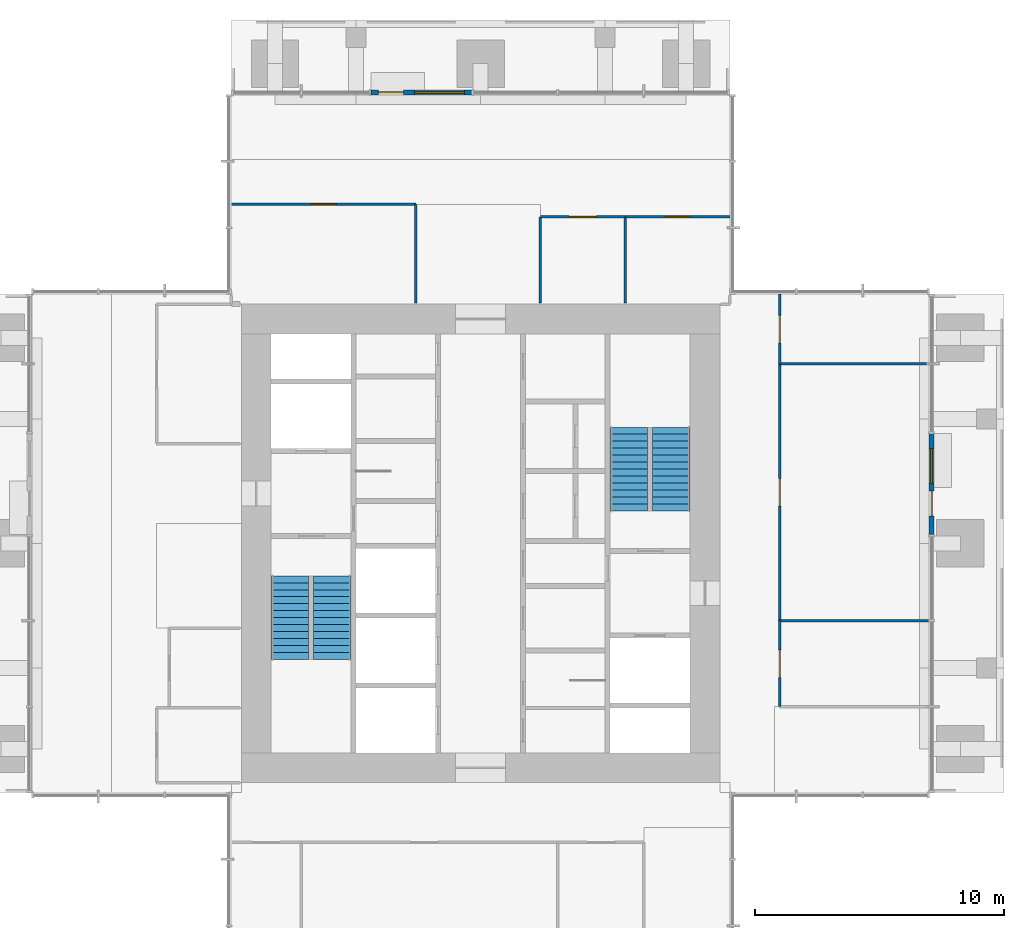
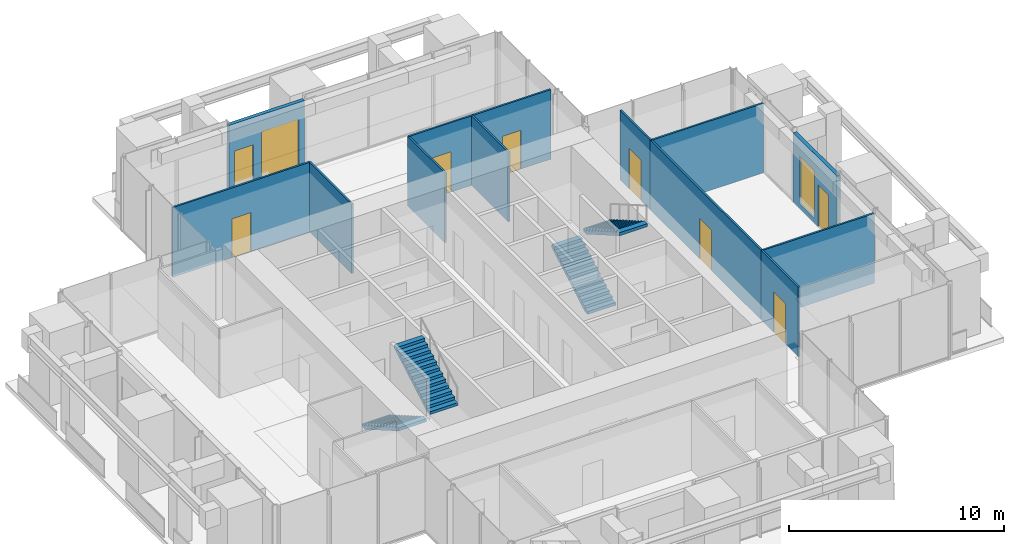
# One storey, part 9 of 12: 13 walls, 8 doors, 4 stair flights, 2 windows, 10 openings, 2 elements without a shape of their own.
"""IFC4 building model written with IfcOpenShell, lengths in metres."""

from ifc_helpers import new_model, si_unit, direction, frame, frame_2d, origin, place, context, subcontext, project, spatial, polyline, rectangle, outline, extrude, material, layer, layer_set, type_object, element, fill, aggregate, save


model = new_model("IFC4")

# Units and contexts
model_context = context("Model", 3, precision=1e-05, world=origin(), true_north=direction((0.0, 1.0)))
body_context = subcontext(model_context, "Body", "Model", "MODEL_VIEW")
ifc_project = project(units=[si_unit("LENGTHUNIT", "METRE"), si_unit("AREAUNIT", "SQUARE_METRE"), si_unit("VOLUMEUNIT", "CUBIC_METRE"), si_unit("PLANEANGLEUNIT", "RADIAN"), si_unit("MASSUNIT", "GRAM", prefix="KILO")], contexts=[model_context])

# Site, building, storey
site_placement = place(None, origin())
site = spatial("IfcSite", under=ifc_project, at=site_placement, CompositionType="ELEMENT")
building_placement = place(site_placement, origin())
building = spatial("IfcBuilding", under=site, at=building_placement, Name="Svetlomir Tower", CompositionType="ELEMENT")
storey_placement = place(building_placement, frame((0.0, 0.0, 248.199951171875)))
storey = spatial("IfcBuildingStorey", under=building, at=storey_placement, Name="L59", CompositionType="ELEMENT", Elevation=248.199951171875)

# Wall, openings, door, window
ifc_material_1 = material(Name="Bronze anodised aluminium glazed screen", Category="aluminium")
ifc_layer_1 = layer(ifc_material_1, 0.199951171875)
ifc_layer_set_1 = layer_set([ifc_layer_1], Name="Bronze anodised aluminium glazed screen")
wall_type_1 = type_object("IfcWallType", Name="BALCONY SCREEN WALL 200", PredefinedType="USERDEFINED", material=ifc_layer_set_1)
wall_1_placement = place(storey_placement, frame((39.10009765625, 21.35009765625, 0.0), z_axis=(0.0, 0.0, 1.0), x_axis=(0.0, 1.0, 0.0)))
wall_1 = element("IfcWall", 1, at=wall_1_placement, inside=storey, type_object=wall_type_1, Name="Balcony screen E", ObjectType="GLAZED SCREEN", PredefinedType="USERDEFINED", context=body_context, shape_type="SweptSolid", body=[
    extrude(rectangle(XDim=4.0498046875, YDim=0.199951171875, at=frame_2d((2.02490234375, 0.0))), origin(), (0.0, 0.0, 1.0), 3.949951171875),
])
opening_1_placement = place(wall_1_placement, frame((0.75, 0.0, 0.0)))
opening_1 = element("IfcOpeningElement", 2, at=opening_1_placement, cuts=wall_1, Name="Opening BD", PredefinedType="OPENING", context=body_context, shape_type="SweptSolid", body=[
    extrude(rectangle(XDim=1.0, YDim=2.39990234375, at=frame_2d((0.5, 1.199951171875))), frame((0.0, 0.10986328125, 0.0), z_axis=(0.0, -1.0, 0.0), x_axis=(1.0, 0.0, 0.0)), (0.0, 0.0, 1.0), 0.219970703125),
])
opening_2_placement = place(wall_1_placement, frame((2.050048828125, 0.0, 0.300048828125)))
opening_2 = element("IfcOpeningElement", 3, at=opening_2_placement, cuts=wall_1, Name="Opening WS2", PredefinedType="OPENING", context=body_context, shape_type="SweptSolid", body=[
    extrude(rectangle(XDim=1.39990234375, YDim=2.699951171875, at=frame_2d((0.699951171875, 1.35009765625))), frame((0.0, 0.10986328125, 0.0), z_axis=(0.0, -1.0, 0.0), x_axis=(1.0, 0.0, 0.0)), (0.0, 0.0, 1.0), 0.219970703125),
])
ifc_material_2 = material(Name="Bronze anodised aluminium glazed door", Category="aluminium")
door_type_1 = type_object("IfcDoorType", Name="BALCONY DOOR BD 1000x2400", OperationType="SINGLE_SWING_LEFT", PredefinedType="DOOR", material=ifc_material_2)
door_1_placement = place(opening_1_placement, origin())
door_1 = element("IfcDoor", 4, at=door_1_placement, inside=storey, type_object=door_type_1, Name="Balcony screen E door", OperationType="SINGLE_SWING_LEFT", OverallHeight=2.39990234375, OverallWidth=1.0, PredefinedType="DOOR", context=body_context, shape_type="SweptSolid", body=[
    extrude(rectangle(XDim=1.0, YDim=2.39990234375, at=frame_2d((0.5, 1.199951171875))), frame((0.0, 0.02490234375, 0.0), z_axis=(0.0, -1.0, 0.0), x_axis=(1.0, 0.0, 0.0)), (0.0, 0.0, 1.0), 0.050048828125),
])
fill(opening_1, door_1)
ifc_material_3 = material(Name="Bronze anodised aluminium window", Category="aluminium")
window_type_1 = type_object("IfcWindowType", Name="SCREEN WINDOW WS2 1400x2700", PartitioningType="SINGLE_PANEL", PredefinedType="WINDOW", material=ifc_material_3)
window_1_placement = place(opening_2_placement, origin())
window_1 = element("IfcWindow", 5, at=window_1_placement, inside=storey, type_object=window_type_1, Name="Balcony screen E window 1", OverallHeight=2.699951171875, OverallWidth=1.39990234375, PartitioningType="SINGLE_PANEL", PredefinedType="WINDOW", context=body_context, shape_type="SweptSolid", body=[
    extrude(rectangle(XDim=1.39990234375, YDim=2.699951171875, at=frame_2d((0.699951171875, 1.35009765625))), frame((0.0, 0.030029296875, 0.0), z_axis=(0.0, -1.0, 0.0), x_axis=(1.0, 0.0, 0.0)), (0.0, 0.0, 1.0), 0.06005859375),
])
fill(opening_2, window_1)

wall_2_placement = place(storey_placement, frame((20.64990234375, 39.10009765625, 0.0), z_axis=(0.0, 0.0, 1.0), x_axis=(-1.0, 0.0, 0.0)))
wall_2 = element("IfcWall", 6, at=wall_2_placement, inside=storey, type_object=wall_type_1, Name="Balcony screen N", ObjectType="GLAZED SCREEN", PredefinedType="USERDEFINED", context=body_context, shape_type="SweptSolid", body=[
    extrude(rectangle(XDim=4.0498046875, YDim=0.199951171875, at=frame_2d((2.02490234375, 0.0))), origin(), (0.0, 0.0, 1.0), 3.949951171875),
])
opening_3_placement = place(wall_2_placement, frame((2.75, 0.0, 0.0)))
opening_3 = element("IfcOpeningElement", 7, at=opening_3_placement, cuts=wall_2, Name="Opening BD", PredefinedType="OPENING", context=body_context, shape_type="SweptSolid", body=[
    extrude(rectangle(XDim=1.0, YDim=2.39990234375, at=frame_2d((0.5, 1.199951171875))), frame((0.0, 0.10986328125, 0.0), z_axis=(0.0, -1.0, 0.0), x_axis=(1.0, 0.0, 0.0)), (0.0, 0.0, 1.0), 0.219970703125),
])
opening_4_placement = place(wall_2_placement, frame((0.300048828125, 0.0, 0.300048828125)))
opening_4 = element("IfcOpeningElement", 8, at=opening_4_placement, cuts=wall_2, Name="Opening WS", PredefinedType="OPENING", context=body_context, shape_type="SweptSolid", body=[
    extrude(rectangle(XDim=2.0, YDim=2.699951171875, at=frame_2d((1.0, 1.35009765625))), frame((0.0, 0.10986328125, 0.0), z_axis=(0.0, -1.0, 0.0), x_axis=(1.0, 0.0, 0.0)), (0.0, 0.0, 1.0), 0.219970703125),
])
door_2_placement = place(opening_3_placement, origin())
door_2 = element("IfcDoor", 9, at=door_2_placement, inside=storey, type_object=door_type_1, Name="Balcony screen N door", OperationType="SINGLE_SWING_LEFT", OverallHeight=2.39990234375, OverallWidth=1.0, PredefinedType="DOOR", context=body_context, shape_type="SweptSolid", body=[
    extrude(rectangle(XDim=1.0, YDim=2.39990234375, at=frame_2d((0.5, 1.199951171875))), frame((0.0, 0.02490234375, 0.0), z_axis=(0.0, -1.0, 0.0), x_axis=(1.0, 0.0, 0.0)), (0.0, 0.0, 1.0), 0.050048828125),
])
fill(opening_3, door_2)
ifc_material_4 = material(Name="Bronze anodised aluminium window", Category="aluminium")
window_type_2 = type_object("IfcWindowType", Name="SCREEN WINDOW WS 2000x2700", PartitioningType="SINGLE_PANEL", PredefinedType="WINDOW", material=ifc_material_4)
window_2_placement = place(opening_4_placement, origin())
window_2 = element("IfcWindow", 10, at=window_2_placement, inside=storey, type_object=window_type_2, Name="Balcony screen N window 1", OverallHeight=2.699951171875, OverallWidth=2.0, PartitioningType="SINGLE_PANEL", PredefinedType="WINDOW", context=body_context, shape_type="SweptSolid", body=[
    extrude(rectangle(XDim=2.0, YDim=2.699951171875, at=frame_2d((1.0, 1.35009765625))), frame((0.0, 0.030029296875, 0.0), z_axis=(0.0, -1.0, 0.0), x_axis=(1.0, 0.0, 0.0)), (0.0, 0.0, 1.0), 0.06005859375),
])
fill(opening_4, window_2)

# Wall, opening, door
ifc_material_5 = material(Name="Framed laminated glass partition", Category="glass")
ifc_layer_2 = layer(ifc_material_5, 0.10009765625)
ifc_layer_set_2 = layer_set([ifc_layer_2], Name="Framed laminated glass partition")
wall_type_2 = type_object("IfcWallType", Name="GLAZED PARTITION 100", PredefinedType="PARTITIONING", material=ifc_layer_set_2)
wall_3_placement = place(storey_placement, frame((11.0, 34.60009765625, 0.0), z_axis=(0.0, 0.0, 1.0), x_axis=(1.0, 0.0, 0.0)))
wall_3 = element("IfcWall", 11, at=wall_3_placement, inside=storey, type_object=wall_type_2, Name="Glazed partition L59", PredefinedType="PARTITIONING", context=body_context, shape_type="SweptSolid", body=[
    extrude(rectangle(XDim=7.39990234375, YDim=0.10009765625, at=frame_2d((3.699951171875, 0.0))), origin(), (0.0, 0.0, 1.0), 3.949951171875),
])
opening_5_placement = place(wall_3_placement, frame((3.199951171875, 0.0, 0.0)))
opening_5 = element("IfcOpeningElement", 12, at=opening_5_placement, cuts=wall_3, Name="Opening DR", PredefinedType="OPENING", context=body_context, shape_type="SweptSolid", body=[
    extrude(rectangle(XDim=1.0, YDim=2.199951171875, at=frame_2d((0.5, 1.10009765625))), frame((0.0, 0.06005859375, 0.0), z_axis=(0.0, -1.0, 0.0), x_axis=(1.0, 0.0, 0.0)), (0.0, 0.0, 1.0), 0.1201171875),
])
ifc_material_6 = material(Name="Timber door, glazed side light", Category="wood")
door_type_2 = type_object("IfcDoorType", Name="DOOR DR 1000x2200", OperationType="SINGLE_SWING_LEFT", PredefinedType="DOOR", material=ifc_material_6)
door_3_placement = place(opening_5_placement, origin())
door_3 = element("IfcDoor", 13, at=door_3_placement, inside=storey, type_object=door_type_2, Name="Team room, 10 seats door L59", OperationType="SINGLE_SWING_RIGHT", OverallHeight=2.199951171875, OverallWidth=1.0, PredefinedType="DOOR", context=body_context, shape_type="SweptSolid", body=[
    extrude(rectangle(XDim=1.0, YDim=2.199951171875, at=frame_2d((0.5, 1.10009765625))), frame((0.0, 0.02490234375, 0.0), z_axis=(0.0, -1.0, 0.0), x_axis=(1.0, 0.0, 0.0)), (0.0, 0.0, 1.0), 0.050048828125),
])
fill(opening_5, door_3)

# Walls
wall_4_placement = place(storey_placement, frame((18.39990234375, 30.64990234375, 0.0), z_axis=(0.0, 0.0, 1.0), x_axis=(0.0, 1.0, 0.0)))
element("IfcWall", 14, at=wall_4_placement, inside=storey, type_object=wall_type_2, Name="Glazed partition L59", PredefinedType="PARTITIONING", context=body_context, shape_type="SweptSolid", body=[
    extrude(rectangle(XDim=3.9501953125, YDim=0.10009765625, at=frame_2d((1.97509765625, 0.0))), origin(), (0.0, 0.0, 1.0), 3.949951171875),
])
wall_5_placement = place(storey_placement, frame((23.39990234375, 30.64990234375, 0.0), z_axis=(0.0, 0.0, 1.0), x_axis=(0.0, 1.0, 0.0)))
element("IfcWall", 15, at=wall_5_placement, inside=storey, type_object=wall_type_2, Name="Glazed partition L59", PredefinedType="PARTITIONING", context=body_context, shape_type="SweptSolid", body=[
    extrude(rectangle(XDim=3.4501953125, YDim=0.10009765625, at=frame_2d((1.72509765625, 0.0))), origin(), (0.0, 0.0, 1.0), 3.949951171875),
])

# Wall, opening, door
wall_6_placement = place(storey_placement, frame((23.39990234375, 34.10009765625, 0.0), z_axis=(0.0, 0.0, 1.0), x_axis=(1.0, 0.0, 0.0)))
wall_6 = element("IfcWall", 16, at=wall_6_placement, inside=storey, type_object=wall_type_2, Name="Glazed partition L59", PredefinedType="PARTITIONING", context=body_context, shape_type="SweptSolid", body=[
    extrude(rectangle(XDim=3.400146484375, YDim=0.10009765625, at=frame_2d((1.7001953125, 0.0))), origin(), (0.0, 0.0, 1.0), 3.949951171875),
])
opening_6_placement = place(wall_6_placement, frame((1.14990234375, 0.0, 0.0)))
opening_6 = element("IfcOpeningElement", 17, at=opening_6_placement, cuts=wall_6, Name="Opening DE", PredefinedType="OPENING", context=body_context, shape_type="SweptSolid", body=[
    extrude(rectangle(XDim=1.10009765625, YDim=2.300048828125, at=frame_2d((0.550048828125, 1.14990234375))), frame((0.0, 0.06005859375, 0.0), z_axis=(0.0, -1.0, 0.0), x_axis=(1.0, 0.0, 0.0)), (0.0, 0.0, 1.0), 0.1201171875),
])
ifc_material_7 = material(Name="Walnut veneered timber door", Category="wood")
door_type_3 = type_object("IfcDoorType", Name="DOOR DE 1100x2300", OperationType="SINGLE_SWING_LEFT", PredefinedType="DOOR", material=ifc_material_7)
door_4_placement = place(opening_6_placement, origin())
door_4 = element("IfcDoor", 18, at=door_4_placement, inside=storey, type_object=door_type_3, Name="Executive pantry door L59", OperationType="SINGLE_SWING_LEFT", OverallHeight=2.300048828125, OverallWidth=1.10009765625, PredefinedType="DOOR", context=body_context, shape_type="SweptSolid", body=[
    extrude(rectangle(XDim=1.10009765625, YDim=2.300048828125, at=frame_2d((0.550048828125, 1.14990234375))), frame((0.0, 0.02490234375, 0.0), z_axis=(0.0, -1.0, 0.0), x_axis=(1.0, 0.0, 0.0)), (0.0, 0.0, 1.0), 0.050048828125),
])
fill(opening_6, door_4)

# Wall
wall_7_placement = place(storey_placement, frame((26.800048828125, 30.64990234375, 0.0), z_axis=(0.0, 0.0, 1.0), x_axis=(0.0, 1.0, 0.0)))
element("IfcWall", 19, at=wall_7_placement, inside=storey, type_object=wall_type_2, Name="Partition L59", PredefinedType="PARTITIONING", context=body_context, shape_type="SweptSolid", body=[
    extrude(rectangle(XDim=3.4501953125, YDim=0.10009765625, at=frame_2d((1.72509765625, 0.0))), origin(), (0.0, 0.0, 1.0), 3.949951171875),
])

# Wall, opening, door
wall_8_placement = place(storey_placement, frame((26.800048828125, 34.10009765625, 0.0), z_axis=(0.0, 0.0, 1.0), x_axis=(1.0, 0.0, 0.0)))
wall_8 = element("IfcWall", 20, at=wall_8_placement, inside=storey, type_object=wall_type_2, Name="Partition L59", PredefinedType="PARTITIONING", context=body_context, shape_type="SweptSolid", body=[
    extrude(rectangle(XDim=4.199951171875, YDim=0.10009765625, at=frame_2d((2.10009765625, 0.0))), origin(), (0.0, 0.0, 1.0), 3.949951171875),
])
opening_7_placement = place(wall_8_placement, frame((1.60009765625, 0.0, 0.0)))
opening_7 = element("IfcOpeningElement", 21, at=opening_7_placement, cuts=wall_8, Name="Opening DR", PredefinedType="OPENING", context=body_context, shape_type="SweptSolid", body=[
    extrude(rectangle(XDim=1.0, YDim=2.199951171875, at=frame_2d((0.5, 1.10009765625))), frame((0.0, 0.06005859375, 0.0), z_axis=(0.0, -1.0, 0.0), x_axis=(1.0, 0.0, 0.0)), (0.0, 0.0, 1.0), 0.1201171875),
])
door_5_placement = place(opening_7_placement, origin())
door_5 = element("IfcDoor", 22, at=door_5_placement, inside=storey, type_object=door_type_2, Name="Print and copy room door L59", OperationType="SINGLE_SWING_LEFT", OverallHeight=2.199951171875, OverallWidth=1.0, PredefinedType="DOOR", context=body_context, shape_type="SweptSolid", body=[
    extrude(rectangle(XDim=1.0, YDim=2.199951171875, at=frame_2d((0.5, 1.10009765625))), frame((0.0, 0.02490234375, 0.0), z_axis=(0.0, -1.0, 0.0), x_axis=(1.0, 0.0, 0.0)), (0.0, 0.0, 1.0), 0.050048828125),
])
fill(opening_7, door_5)

wall_9_placement = place(storey_placement, frame((33.0, 14.449951171875, 0.0), z_axis=(0.0, 0.0, 1.0), x_axis=(0.0, 1.0, 0.0)))
wall_9 = element("IfcWall", 23, at=wall_9_placement, inside=storey, type_object=wall_type_2, Name="Partition L59", PredefinedType="PARTITIONING", context=body_context, shape_type="SweptSolid", body=[
    extrude(rectangle(XDim=3.449951171875, YDim=0.10009765625, at=frame_2d((1.72509765625, 0.0))), origin(), (0.0, 0.0, 1.0), 3.949951171875),
])
opening_8_placement = place(wall_9_placement, frame((1.175048828125, 0.0, 0.0)))
opening_8 = element("IfcOpeningElement", 24, at=opening_8_placement, cuts=wall_9, Name="Opening DE", PredefinedType="OPENING", context=body_context, shape_type="SweptSolid", body=[
    extrude(rectangle(XDim=1.10009765625, YDim=2.300048828125, at=frame_2d((0.550048828125, 1.14990234375))), frame((0.0, 0.06005859375, 0.0), z_axis=(0.0, -1.0, 0.0), x_axis=(1.0, 0.0, 0.0)), (0.0, 0.0, 1.0), 0.1201171875),
])
door_6_placement = place(opening_8_placement, origin())
door_6 = element("IfcDoor", 25, at=door_6_placement, inside=storey, type_object=door_type_3, Name="Executive office - Group treasurer door L59", OperationType="SINGLE_SWING_LEFT", OverallHeight=2.300048828125, OverallWidth=1.10009765625, PredefinedType="DOOR", context=body_context, shape_type="SweptSolid", body=[
    extrude(rectangle(XDim=1.10009765625, YDim=2.300048828125, at=frame_2d((0.550048828125, 1.14990234375))), frame((0.0, 0.02490234375, 0.0), z_axis=(0.0, -1.0, 0.0), x_axis=(1.0, 0.0, 0.0)), (0.0, 0.0, 1.0), 0.050048828125),
])
fill(opening_8, door_6)

wall_10_placement = place(storey_placement, frame((33.0, 17.89990234375, 0.0), z_axis=(0.0, 0.0, 1.0), x_axis=(0.0, 1.0, 0.0)))
wall_10 = element("IfcWall", 26, at=wall_10_placement, inside=storey, type_object=wall_type_2, Name="Glazed partition L59", PredefinedType="PARTITIONING", context=body_context, shape_type="SweptSolid", body=[
    extrude(rectangle(XDim=10.300048828125, YDim=0.10009765625, at=frame_2d((5.14990234375, 0.0))), origin(), (0.0, 0.0, 1.0), 3.949951171875),
])
opening_9_placement = place(wall_10_placement, frame((4.60009765625, 0.0, 0.0)))
opening_9 = element("IfcOpeningElement", 27, at=opening_9_placement, cuts=wall_10, Name="Opening DE", PredefinedType="OPENING", context=body_context, shape_type="SweptSolid", body=[
    extrude(rectangle(XDim=1.10009765625, YDim=2.300048828125, at=frame_2d((0.550048828125, 1.14990234375))), frame((0.0, 0.06005859375, 0.0), z_axis=(0.0, -1.0, 0.0), x_axis=(1.0, 0.0, 0.0)), (0.0, 0.0, 1.0), 0.1201171875),
])
door_7_placement = place(opening_9_placement, origin())
door_7 = element("IfcDoor", 28, at=door_7_placement, inside=storey, type_object=door_type_3, Name="Executive meeting room, 12 seats door L59", OperationType="SINGLE_SWING_RIGHT", OverallHeight=2.300048828125, OverallWidth=1.10009765625, PredefinedType="DOOR", context=body_context, shape_type="SweptSolid", body=[
    extrude(rectangle(XDim=1.10009765625, YDim=2.300048828125, at=frame_2d((0.550048828125, 1.14990234375))), frame((0.0, 0.02490234375, 0.0), z_axis=(0.0, -1.0, 0.0), x_axis=(1.0, 0.0, 0.0)), (0.0, 0.0, 1.0), 0.050048828125),
])
fill(opening_9, door_7)

# Wall
wall_11_placement = place(storey_placement, frame((33.0, 17.89990234375, 0.0), z_axis=(0.0, 0.0, 1.0), x_axis=(1.0, 0.0, 0.0)))
element("IfcWall", 29, at=wall_11_placement, inside=storey, type_object=wall_type_2, Name="Partition L59", PredefinedType="PARTITIONING", context=body_context, shape_type="SweptSolid", body=[
    extrude(rectangle(XDim=6.0, YDim=0.10009765625, at=frame_2d((3.0, 0.0))), origin(), (0.0, 0.0, 1.0), 3.949951171875),
])

# Wall, opening, door
wall_12_placement = place(storey_placement, frame((33.0, 28.199951171875, 0.0), z_axis=(0.0, 0.0, 1.0), x_axis=(0.0, 1.0, 0.0)))
wall_12 = element("IfcWall", 30, at=wall_12_placement, inside=storey, type_object=wall_type_2, Name="Partition L59", PredefinedType="PARTITIONING", context=body_context, shape_type="SweptSolid", body=[
    extrude(rectangle(XDim=2.800048828125, YDim=0.10009765625, at=frame_2d((1.39990234375, 0.0))), origin(), (0.0, 0.0, 1.0), 3.949951171875),
])
opening_10_placement = place(wall_12_placement, frame((0.85009765625, 0.0, 0.0)))
opening_10 = element("IfcOpeningElement", 31, at=opening_10_placement, cuts=wall_12, Name="Opening DE", PredefinedType="OPENING", context=body_context, shape_type="SweptSolid", body=[
    extrude(rectangle(XDim=1.10009765625, YDim=2.300048828125, at=frame_2d((0.550048828125, 1.14990234375))), frame((0.0, 0.06005859375, 0.0), z_axis=(0.0, -1.0, 0.0), x_axis=(1.0, 0.0, 0.0)), (0.0, 0.0, 1.0), 0.1201171875),
])
door_8_placement = place(opening_10_placement, origin())
door_8 = element("IfcDoor", 32, at=door_8_placement, inside=storey, type_object=door_type_3, Name="Executive office - Financial controller door L59", OperationType="SINGLE_SWING_LEFT", OverallHeight=2.300048828125, OverallWidth=1.10009765625, PredefinedType="DOOR", context=body_context, shape_type="SweptSolid", body=[
    extrude(rectangle(XDim=1.10009765625, YDim=2.300048828125, at=frame_2d((0.550048828125, 1.14990234375))), frame((0.0, 0.02490234375, 0.0), z_axis=(0.0, -1.0, 0.0), x_axis=(1.0, 0.0, 0.0)), (0.0, 0.0, 1.0), 0.050048828125),
])
fill(opening_10, door_8)

# Wall
wall_13_placement = place(storey_placement, frame((33.0, 28.199951171875, 0.0), z_axis=(0.0, 0.0, 1.0), x_axis=(1.0, 0.0, 0.0)))
element("IfcWall", 33, at=wall_13_placement, inside=storey, type_object=wall_type_2, Name="Partition L59", PredefinedType="PARTITIONING", context=body_context, shape_type="SweptSolid", body=[
    extrude(rectangle(XDim=6.0, YDim=0.10009765625, at=frame_2d((3.0, 0.0))), origin(), (0.0, 0.0, 1.0), 3.949951171875),
])

# Stair, stair flights
ifc_material_8 = material(Name="Concrete C60/75", Category="concrete")
stair_type = type_object("IfcStairType", Name="EXIT STAIR 3200 RISE 4200", PredefinedType="HALF_TURN_STAIR", material=ifc_material_8)
stair_1_placement = place(storey_placement, origin())
stair_1 = element("IfcStair", 34, at=stair_1_placement, inside=storey, type_object=stair_type, Name="Stair S1 L59 to L60", PredefinedType="HALF_TURN_STAIR")
ifc_material_9 = material(Name="Concrete C60/75", Category="concrete")
stair_flight_type = type_object("IfcStairFlightType", Name="STAIR FLIGHT 1500 OF 13 RISERS", PredefinedType="STRAIGHT", material=ifc_material_9)
stair_flight_1_placement = place(storey_placement, frame((13.35009765625, 19.699951171875, 0.0), z_axis=(0.0, 0.0, 1.0), x_axis=(0.0, -1.0, 0.0)))
stair_flight_1 = element("IfcStairFlight", 35, at=stair_flight_1_placement, type_object=stair_flight_type, Name="S1 flight 1", NumberOfRisers=13, NumberOfTreads=12, PredefinedType="STRAIGHT", RiserHeight=0.161538462, TreadLength=0.28, context=body_context, shape_type="SweptSolid", body=[
    extrude(outline(polyline([(0.0, 0.0), (0.0, 0.16162109375), (0.280029296875, 0.16162109375), (0.280029296875, 0.322998046875), (0.56005859375, 0.322998046875), (0.56005859375, 0.484619140625), (0.840087890625, 0.484619140625), (0.840087890625, 0.646240234375), (1.1201171875, 0.646240234375), (1.1201171875, 0.8076171875), (1.39990234375, 0.8076171875), (1.39990234375, 0.96923828125), (1.679931640625, 0.96923828125), (1.679931640625, 1.130859375), (1.9599609375, 1.130859375), (1.9599609375, 1.292236328125), (2.239990234375, 1.292236328125), (2.239990234375, 1.453857421875), (2.52001953125, 1.453857421875), (2.52001953125, 1.615478515625), (2.800048828125, 1.615478515625), (2.800048828125, 1.77685546875), (3.080078125, 1.77685546875), (3.080078125, 1.9384765625), (3.360107421875, 1.9384765625), (3.360107421875, 2.10009765625), (3.360107421875, 1.765380859375), (0.300048828125, 0.0), (0.0, 0.0)])), frame((0.0, 0.75, 0.0), z_axis=(0.0, -1.0, 0.0), x_axis=(1.0, 0.0, 0.0)), (0.0, 0.0, 1.0), 1.5),
])
stair_flight_2_placement = place(storey_placement, frame((15.050048828125, 16.340087890625, 2.10009765625), z_axis=(0.0, 0.0, 1.0), x_axis=(0.0, 1.0, 0.0)))
stair_flight_2 = element("IfcStairFlight", 36, at=stair_flight_2_placement, type_object=stair_flight_type, Name="S1 flight 2", NumberOfRisers=13, NumberOfTreads=12, PredefinedType="STRAIGHT", RiserHeight=0.161538462, TreadLength=0.28, context=body_context, shape_type="SweptSolid", body=[
    extrude(outline(polyline([(0.0, 0.0), (0.0, 0.16162109375), (0.280029296875, 0.16162109375), (0.280029296875, 0.322998046875), (0.56005859375, 0.322998046875), (0.56005859375, 0.484619140625), (0.840087890625, 0.484619140625), (0.840087890625, 0.646240234375), (1.1201171875, 0.646240234375), (1.1201171875, 0.8076171875), (1.39990234375, 0.8076171875), (1.39990234375, 0.96923828125), (1.679931640625, 0.96923828125), (1.679931640625, 1.130859375), (1.9599609375, 1.130859375), (1.9599609375, 1.292236328125), (2.239990234375, 1.292236328125), (2.239990234375, 1.453857421875), (2.52001953125, 1.453857421875), (2.52001953125, 1.615478515625), (2.800048828125, 1.615478515625), (2.800048828125, 1.77685546875), (3.080078125, 1.77685546875), (3.080078125, 1.9384765625), (3.360107421875, 1.9384765625), (3.360107421875, 2.10009765625), (3.360107421875, 1.765380859375), (0.300048828125, 0.0), (0.0, 0.0)])), frame((0.0, 0.75, 0.0), z_axis=(0.0, -1.0, 0.0), x_axis=(1.0, 0.0, 0.0)), (0.0, 0.0, 1.0), 1.5),
])
aggregate(stair_1, [stair_flight_1, stair_flight_2])

stair_2_placement = place(storey_placement, origin())
stair_2 = element("IfcStair", 37, at=stair_2_placement, inside=storey, type_object=stair_type, Name="Stair S2 L59 to L60", PredefinedType="HALF_TURN_STAIR")
stair_flight_3_placement = place(storey_placement, frame((26.949951171875, 22.300048828125, 0.0), z_axis=(0.0, 0.0, 1.0), x_axis=(0.0, 1.0, 0.0)))
stair_flight_3 = element("IfcStairFlight", 38, at=stair_flight_3_placement, type_object=stair_flight_type, Name="S2 flight 1", NumberOfRisers=13, NumberOfTreads=12, PredefinedType="STRAIGHT", RiserHeight=0.161538462, TreadLength=0.28, context=body_context, shape_type="SweptSolid", body=[
    extrude(outline(polyline([(0.0, 0.0), (0.0, 0.16162109375), (0.280029296875, 0.16162109375), (0.280029296875, 0.322998046875), (0.56005859375, 0.322998046875), (0.56005859375, 0.484619140625), (0.840087890625, 0.484619140625), (0.840087890625, 0.646240234375), (1.1201171875, 0.646240234375), (1.1201171875, 0.8076171875), (1.39990234375, 0.8076171875), (1.39990234375, 0.96923828125), (1.679931640625, 0.96923828125), (1.679931640625, 1.130859375), (1.9599609375, 1.130859375), (1.9599609375, 1.292236328125), (2.239990234375, 1.292236328125), (2.239990234375, 1.453857421875), (2.52001953125, 1.453857421875), (2.52001953125, 1.615478515625), (2.800048828125, 1.615478515625), (2.800048828125, 1.77685546875), (3.080078125, 1.77685546875), (3.080078125, 1.9384765625), (3.360107421875, 1.9384765625), (3.360107421875, 2.10009765625), (3.360107421875, 1.765380859375), (0.300048828125, 0.0), (0.0, 0.0)])), frame((0.0, 0.75, 0.0), z_axis=(0.0, -1.0, 0.0), x_axis=(1.0, 0.0, 0.0)), (0.0, 0.0, 1.0), 1.5),
])
stair_flight_4_placement = place(storey_placement, frame((28.64990234375, 25.659912109375, 2.10009765625), z_axis=(0.0, 0.0, 1.0), x_axis=(0.0, -1.0, 0.0)))
stair_flight_4 = element("IfcStairFlight", 39, at=stair_flight_4_placement, type_object=stair_flight_type, Name="S2 flight 2", NumberOfRisers=13, NumberOfTreads=12, PredefinedType="STRAIGHT", RiserHeight=0.161538462, TreadLength=0.28, context=body_context, shape_type="SweptSolid", body=[
    extrude(outline(polyline([(0.0, 0.0), (0.0, 0.16162109375), (0.280029296875, 0.16162109375), (0.280029296875, 0.322998046875), (0.56005859375, 0.322998046875), (0.56005859375, 0.484619140625), (0.840087890625, 0.484619140625), (0.840087890625, 0.646240234375), (1.1201171875, 0.646240234375), (1.1201171875, 0.8076171875), (1.39990234375, 0.8076171875), (1.39990234375, 0.96923828125), (1.679931640625, 0.96923828125), (1.679931640625, 1.130859375), (1.9599609375, 1.130859375), (1.9599609375, 1.292236328125), (2.239990234375, 1.292236328125), (2.239990234375, 1.453857421875), (2.52001953125, 1.453857421875), (2.52001953125, 1.615478515625), (2.800048828125, 1.615478515625), (2.800048828125, 1.77685546875), (3.080078125, 1.77685546875), (3.080078125, 1.9384765625), (3.360107421875, 1.9384765625), (3.360107421875, 2.10009765625), (3.360107421875, 1.765380859375), (0.300048828125, 0.0), (0.0, 0.0)])), frame((0.0, 0.75, 0.0), z_axis=(0.0, -1.0, 0.0), x_axis=(1.0, 0.0, 0.0)), (0.0, 0.0, 1.0), 1.5),
])
aggregate(stair_2, [stair_flight_3, stair_flight_4])

save(model, "model.ifc")
